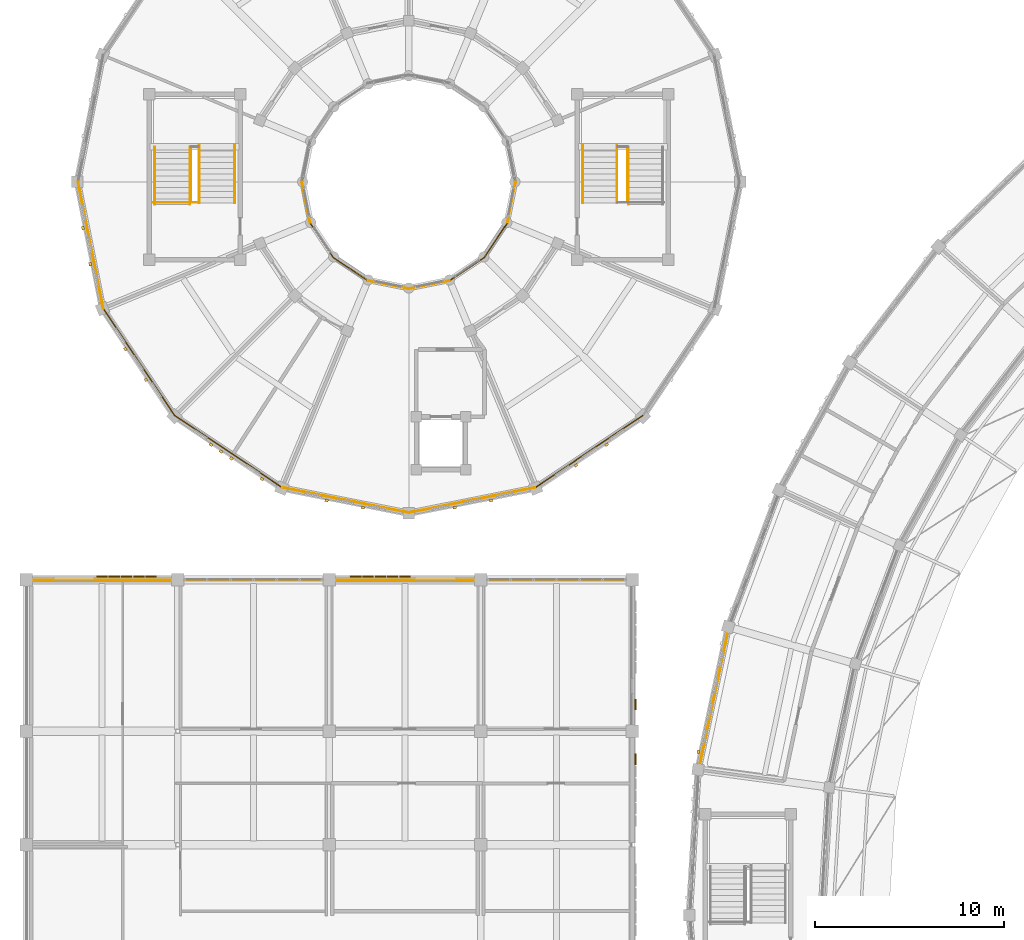
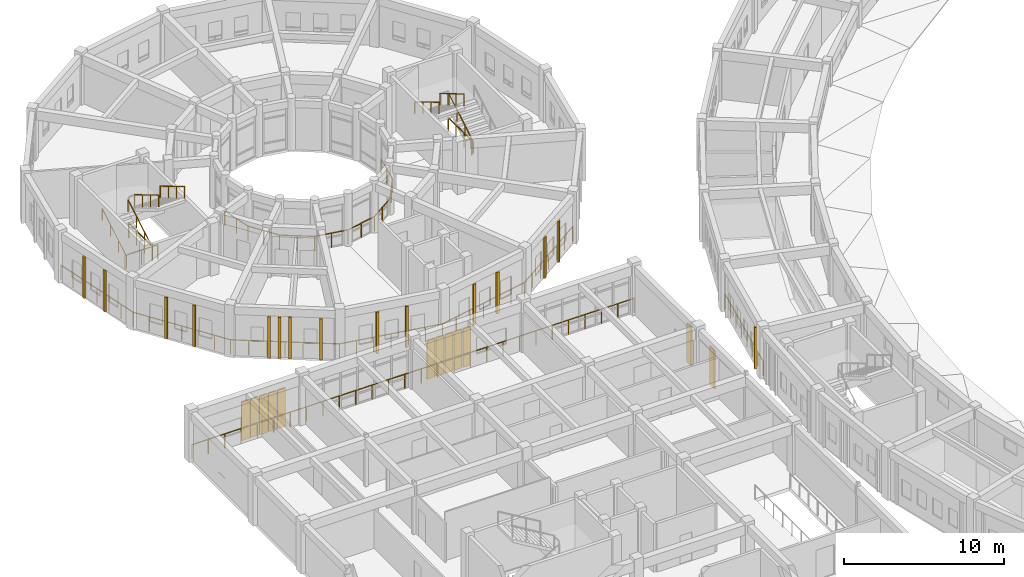
# One storey, part 102 of 112: 26 railings, 15 coverings, 12 shading devices.
"""IFC4 building model written with IfcOpenShell, lengths in metres."""

from ifc_helpers import new_model, si_unit, direction, frame, origin, origin_2d, place, context, subcontext, project, spatial, rectangle, circle, extrude, material, layer, layer_set, type_object, element, save


model = new_model("IFC4")

# Units and contexts
model_context = context("Model", 3, precision=1e-05, world=origin(), true_north=direction((0.0, 1.0)))
body_context = subcontext(model_context, "Body", "Model", "MODEL_VIEW")
ifc_project = project(units=[si_unit("LENGTHUNIT", "METRE"), si_unit("AREAUNIT", "SQUARE_METRE"), si_unit("VOLUMEUNIT", "CUBIC_METRE"), si_unit("PLANEANGLEUNIT", "RADIAN"), si_unit("MASSUNIT", "GRAM", prefix="KILO")], contexts=[model_context])

# Site, building, storey
site_placement = place(None, origin())
site = spatial("IfcSite", under=ifc_project, at=site_placement, CompositionType="ELEMENT")
building_placement = place(site_placement, origin())
building = spatial("IfcBuilding", under=site, at=building_placement, Name="Celadon Cloister-Ring School", CompositionType="ELEMENT")
storey_placement = place(building_placement, frame((0.0, 0.0, 8.5)))
storey = spatial("IfcBuildingStorey", under=building, at=storey_placement, Name="L02", CompositionType="ELEMENT", Elevation=8.5)

# Coverings
ifc_material_1 = material(Name="Perforated terracotta clay brick masonry", Category="masonry")
ifc_layer = layer(ifc_material_1, 0.139892578125)
ifc_layer_set = layer_set([ifc_layer], Name="Perforated terracotta clay brick masonry")
covering_type = type_object("IfcCoveringType", Name="CV-SC1", PredefinedType="CLADDING", material=ifc_layer_set)
covering_placement = place(storey_placement, frame((35.488037109375, 66.9150390625, 0.0), z_axis=(0.0, 0.0, 1.0), x_axis=(0.207262913083, 0.978285277851, 0.0)))
element("IfcCovering", 1, at=covering_placement, inside=storey, type_object=covering_type, Name="Brick Screen Rib 0246", PredefinedType="CLADDING", context=body_context, shape_type="SweptSolid", body=[
    extrude(rectangle(XDim=0.179931640625, YDim=0.139892578125, at=origin_2d()), origin(), (0.0, 0.0, 1.0), 3.172119140625),
])
for number, where, z_axis, x_axis, name in (
    (2, (3.383056640625, 92.660888671875, 0.0), (0.0, 0.0, 1.0), (-0.195141675546, 0.980775064153, 0.0), "Brick Screen Rib 0518"),
    (3, (3.001953125, 94.572998046875, 0.0), (0.0, 0.0, 1.0), (-0.195141675546, 0.980775064153, 0.0), "Brick Screen Rib 0519"),
    (4, (6.323974609375, 86.555908203125, 0.0), (0.0, 0.0, 1.0), (-0.55567181205, 0.831401730389, 0.0), "Brick Screen Rib 0520"),
    (5, (5.239990234375, 88.177001953125, 0.0), (0.0, 0.0, 1.0), (-0.55567181205, 0.831401730389, 0.0), "Brick Screen Rib 0521"),
    (6, (12.4580078125, 81.318115234375, 0.0), (0.0, 0.0, 1.0), (-0.831401730389, 0.55567181205, 0.0), "Brick Screen Rib 0522"),
    (7, (10.8359375, 82.40087890625, 0.0), (0.0, 0.0, 1.0), (-0.831401730389, 0.55567181205, 0.0), "Brick Screen Rib 0523"),
    (8, (10.2958984375, 82.761962890625, 0.0), (0.0, 0.0, 1.0), (-0.831401730389, 0.55567181205, 0.0), "Brick Screen Rib 0524"),
    (9, (9.756103515625, 83.1240234375, 0.0), (0.0, 0.0, 1.0), (-0.831401730389, 0.55567181205, 0.0), "Brick Screen Rib 0525"),
    (10, (17.77294921875, 79.802001953125, 0.0), (0.0, 0.0, 1.0), (-0.980775064153, 0.195141675546, 0.0), "Brick Screen Rib 0526"),
    (11, (15.861083984375, 80.18310546875, 0.0), (0.0, 0.0, 1.0), (-0.980775064153, 0.195141675546, 0.0), "Brick Screen Rib 0527"),
    (12, (24.5390625, 80.18310546875, 0.0), (0.0, 0.0, 1.0), (-0.980775064153, -0.195141675546, 0.0), "Brick Screen Rib 0528"),
    (13, (22.626953125, 79.802001953125, 0.0), (0.0, 0.0, 1.0), (-0.980775064153, -0.195141675546, 0.0), "Brick Screen Rib 0529"),
    (14, (30.64404296875, 83.1240234375, 0.0), (0.0, 0.0, 1.0), (-0.831401730389, -0.55567181205, 0.0), "Brick Screen Rib 0530"),
    (15, (29.02294921875, 82.0400390625, 0.0), (0.0, 0.0, 1.0), (-0.831401730389, -0.55567181205, 0.0), "Brick Screen Rib 0531"),
):
    element("IfcCovering", number, at=place(storey_placement, frame(where, z_axis=z_axis, x_axis=x_axis)), inside=storey, type_object=covering_type, Name=name, PredefinedType="CLADDING", context=body_context, shape_type="SweptSolid", body=[
        extrude(rectangle(XDim=0.179931640625, YDim=0.139892578125, at=origin_2d()), origin(), (0.0, 0.0, 1.0), 3.152099609375),
    ])

# Railings
ifc_material_2 = material(Name="Structural steel S355JR", Category="steel")
railing_type_1 = type_object("IfcRailingType", Name="RL-BL1", PredefinedType="BALUSTRADE", material=ifc_material_2)
railing_1_placement = place(storey_placement, frame((37.10302734375, 73.49609375, 0.0)))
element("IfcRailing", 16, at=railing_1_placement, inside=storey, type_object=railing_type_1, Name="Terrace Balustrade 0078", PredefinedType="BALUSTRADE", context=body_context, shape_type="SweptSolid", body=[
    extrude(circle(Radius=0.02392578125, at=origin_2d()), frame((0.0, 0.0, 1.09619140625), z_axis=(-0.207095796357, -0.978320668866, 0.0), x_axis=(0.978320668866, -0.207095796357, 0.0)), (0.0, 0.0, 1.0), 7.69677734375),
    extrude(circle(Radius=0.02099609375, at=origin_2d()), origin(), (0.0, 0.0, 1.0), 1.072021484375),
    extrude(circle(Radius=0.02099609375, at=origin_2d()), frame((-0.227783203125, -1.07568359375, 0.0)), (0.0, 0.0, 1.0), 1.072021484375),
    extrude(circle(Radius=0.02099609375, at=origin_2d()), frame((-0.455322265625, -2.1513671875, 0.0)), (0.0, 0.0, 1.0), 1.072021484375),
    extrude(circle(Radius=0.02099609375, at=origin_2d()), frame((-0.68310546875, -3.22705078125, 0.0)), (0.0, 0.0, 1.0), 1.072021484375),
    extrude(circle(Radius=0.02099609375, at=origin_2d()), frame((-0.910888671875, -4.302978515625, 0.0)), (0.0, 0.0, 1.0), 1.072021484375),
    extrude(circle(Radius=0.02099609375, at=origin_2d()), frame((-1.138671875, -5.378662109375, 0.0)), (0.0, 0.0, 1.0), 1.072021484375),
    extrude(circle(Radius=0.02099609375, at=origin_2d()), frame((-1.3662109375, -6.454345703125, 0.0)), (0.0, 0.0, 1.0), 1.072021484375),
    extrude(circle(Radius=0.02099609375, at=origin_2d()), frame((-1.593994140625, -7.530029296875, 0.0)), (0.0, 0.0, 1.0), 1.072021484375),
])
railing_2_placement = place(storey_placement, frame((2.739990234375, 97.0, 0.0)))
element("IfcRailing", 17, at=railing_2_placement, inside=storey, type_object=railing_type_1, Name="Terrace Balustrade 0257", PredefinedType="BALUSTRADE", context=body_context, shape_type="SweptSolid", body=[
    extrude(circle(Radius=0.02392578125, at=origin_2d()), frame((0.0, 0.0, 1.09619140625), z_axis=(0.19508919883, -0.980785503818, 0.0), x_axis=(0.980785503818, 0.19508919883, 0.0)), (0.0, 0.0, 1.0), 6.812744140625),
    extrude(circle(Radius=0.02099609375, at=origin_2d()), origin(), (0.0, 0.0, 1.0), 1.072021484375),
    extrude(circle(Radius=0.02099609375, at=origin_2d()), frame((0.221435546875, -1.11376953125, 0.0)), (0.0, 0.0, 1.0), 1.072021484375),
    extrude(circle(Radius=0.02099609375, at=origin_2d()), frame((0.443115234375, -2.227294921875, 0.0)), (0.0, 0.0, 1.0), 1.072021484375),
    extrude(circle(Radius=0.02099609375, at=origin_2d()), frame((0.66455078125, -3.3408203125, 0.0)), (0.0, 0.0, 1.0), 1.072021484375),
    extrude(circle(Radius=0.02099609375, at=origin_2d()), frame((0.885986328125, -4.45458984375, 0.0)), (0.0, 0.0, 1.0), 1.072021484375),
    extrude(circle(Radius=0.02099609375, at=origin_2d()), frame((1.107666015625, -5.568359375, 0.0)), (0.0, 0.0, 1.0), 1.072021484375),
    extrude(circle(Radius=0.02099609375, at=origin_2d()), frame((1.3291015625, -6.681884765625, 0.0)), (0.0, 0.0, 1.0), 1.072021484375),
])
railing_3_placement = place(storey_placement, frame((4.069091796875, 90.318115234375, 0.0)))
element("IfcRailing", 18, at=railing_3_placement, inside=storey, type_object=railing_type_1, Name="Terrace Balustrade 0258", PredefinedType="BALUSTRADE", context=body_context, shape_type="SweptSolid", body=[
    extrude(circle(Radius=0.02392578125, at=origin_2d()), frame((0.0, 0.0, 1.09619140625), z_axis=(0.555601342036, -0.831448825081, 0.0), x_axis=(0.831448825081, 0.555601342036, 0.0)), (0.0, 0.0, 1.0), 6.812255859375),
    extrude(circle(Radius=0.02099609375, at=origin_2d()), origin(), (0.0, 0.0, 1.0), 1.072021484375),
    extrude(circle(Radius=0.02099609375, at=origin_2d()), frame((0.630859375, -0.944091796875, 0.0)), (0.0, 0.0, 1.0), 1.072021484375),
    extrude(circle(Radius=0.02099609375, at=origin_2d()), frame((1.26171875, -1.887939453125, 0.0)), (0.0, 0.0, 1.0), 1.072021484375),
    extrude(circle(Radius=0.02099609375, at=origin_2d()), frame((1.892578125, -2.83203125, 0.0)), (0.0, 0.0, 1.0), 1.072021484375),
    extrude(circle(Radius=0.02099609375, at=origin_2d()), frame((2.523193359375, -3.776123046875, 0.0)), (0.0, 0.0, 1.0), 1.072021484375),
    extrude(circle(Radius=0.02099609375, at=origin_2d()), frame((3.154052734375, -4.719970703125, 0.0)), (0.0, 0.0, 1.0), 1.072021484375),
    extrude(circle(Radius=0.02099609375, at=origin_2d()), frame((3.784912109375, -5.6640625, 0.0)), (0.0, 0.0, 1.0), 1.072021484375),
])
railing_4_placement = place(storey_placement, frame((7.85400390625, 84.654052734375, 0.0)))
element("IfcRailing", 19, at=railing_4_placement, inside=storey, type_object=railing_type_1, Name="Terrace Balustrade 0259", PredefinedType="BALUSTRADE", context=body_context, shape_type="SweptSolid", body=[
    extrude(circle(Radius=0.02392578125, at=origin_2d()), frame((0.0, 0.0, 1.09619140625), z_axis=(0.831432269387, -0.555626116577, 0.0), x_axis=(0.555626116577, 0.831432269387, 0.0)), (0.0, 0.0, 1.0), 6.8125),
    extrude(circle(Radius=0.02099609375, at=origin_2d()), origin(), (0.0, 0.0, 1.0), 1.072021484375),
    extrude(circle(Radius=0.02099609375, at=origin_2d()), frame((0.944091796875, -0.630859375, 0.0)), (0.0, 0.0, 1.0), 1.072021484375),
    extrude(circle(Radius=0.02099609375, at=origin_2d()), frame((1.887939453125, -1.26171875, 0.0)), (0.0, 0.0, 1.0), 1.072021484375),
    extrude(circle(Radius=0.02099609375, at=origin_2d()), frame((2.83203125, -1.892578125, 0.0)), (0.0, 0.0, 1.0), 1.072021484375),
    extrude(circle(Radius=0.02099609375, at=origin_2d()), frame((3.776123046875, -2.5234375, 0.0)), (0.0, 0.0, 1.0), 1.072021484375),
    extrude(circle(Radius=0.02099609375, at=origin_2d()), frame((4.719970703125, -3.154296875, 0.0)), (0.0, 0.0, 1.0), 1.072021484375),
    extrude(circle(Radius=0.02099609375, at=origin_2d()), frame((5.6640625, -3.78515625, 0.0)), (0.0, 0.0, 1.0), 1.072021484375),
])
railing_5_placement = place(storey_placement, frame((13.51806640625, 80.868896484375, 0.0)))
element("IfcRailing", 20, at=railing_5_placement, inside=storey, type_object=railing_type_1, Name="Terrace Balustrade 0260", PredefinedType="BALUSTRADE", context=body_context, shape_type="SweptSolid", body=[
    extrude(circle(Radius=0.02392578125, at=origin_2d()), frame((0.0, 0.0, 1.09619140625), z_axis=(0.980792360074, -0.19505472673, 0.0), x_axis=(0.19505472673, 0.980792360074, 0.0)), (0.0, 0.0, 1.0), 6.812744140625),
    extrude(circle(Radius=0.02099609375, at=origin_2d()), origin(), (0.0, 0.0, 1.0), 1.072021484375),
    extrude(circle(Radius=0.02099609375, at=origin_2d()), frame((1.11376953125, -0.221435546875, 0.0)), (0.0, 0.0, 1.0), 1.072021484375),
    extrude(circle(Radius=0.02099609375, at=origin_2d()), frame((2.227294921875, -0.44287109375, 0.0)), (0.0, 0.0, 1.0), 1.072021484375),
    extrude(circle(Radius=0.02099609375, at=origin_2d()), frame((3.3408203125, -0.66455078125, 0.0)), (0.0, 0.0, 1.0), 1.072021484375),
    extrude(circle(Radius=0.02099609375, at=origin_2d()), frame((4.45458984375, -0.885986328125, 0.0)), (0.0, 0.0, 1.0), 1.072021484375),
    extrude(circle(Radius=0.02099609375, at=origin_2d()), frame((5.568359375, -1.107421875, 0.0)), (0.0, 0.0, 1.0), 1.072021484375),
    extrude(circle(Radius=0.02099609375, at=origin_2d()), frame((6.681884765625, -1.328857421875, 0.0)), (0.0, 0.0, 1.0), 1.072021484375),
])
railing_6_placement = place(storey_placement, frame((20.199951171875, 79.5400390625, 0.0)))
element("IfcRailing", 21, at=railing_6_placement, inside=storey, type_object=railing_type_1, Name="Terrace Balustrade 0261", PredefinedType="BALUSTRADE", context=body_context, shape_type="SweptSolid", body=[
    extrude(circle(Radius=0.02392578125, at=origin_2d()), frame((0.0, 0.0, 1.09619140625), z_axis=(0.980793723427, 0.195047871268, 0.0), x_axis=(-0.195047871268, 0.980793723427, 0.0)), (0.0, 0.0, 1.0), 6.81298828125),
    extrude(circle(Radius=0.02099609375, at=origin_2d()), origin(), (0.0, 0.0, 1.0), 1.072021484375),
    extrude(circle(Radius=0.02099609375, at=origin_2d()), frame((1.11376953125, 0.221435546875, 0.0)), (0.0, 0.0, 1.0), 1.072021484375),
    extrude(circle(Radius=0.02099609375, at=origin_2d()), frame((2.227294921875, 0.44287109375, 0.0)), (0.0, 0.0, 1.0), 1.072021484375),
    extrude(circle(Radius=0.02099609375, at=origin_2d()), frame((3.341064453125, 0.66455078125, 0.0)), (0.0, 0.0, 1.0), 1.072021484375),
    extrude(circle(Radius=0.02099609375, at=origin_2d()), frame((4.454833984375, 0.885986328125, 0.0)), (0.0, 0.0, 1.0), 1.072021484375),
    extrude(circle(Radius=0.02099609375, at=origin_2d()), frame((5.568359375, 1.107421875, 0.0)), (0.0, 0.0, 1.0), 1.072021484375),
    extrude(circle(Radius=0.02099609375, at=origin_2d()), frame((6.68212890625, 1.328857421875, 0.0)), (0.0, 0.0, 1.0), 1.072021484375),
])
railing_7_placement = place(storey_placement, frame((26.882080078125, 80.868896484375, 0.0)))
element("IfcRailing", 22, at=railing_7_placement, inside=storey, type_object=railing_type_1, Name="Terrace Balustrade 0262", PredefinedType="BALUSTRADE", context=body_context, shape_type="SweptSolid", body=[
    extrude(circle(Radius=0.02392578125, at=origin_2d()), frame((0.0, 0.0, 1.09619140625), z_axis=(0.831421205096, 0.555642672693, 0.0), x_axis=(-0.555642672693, 0.831421205096, 0.0)), (0.0, 0.0, 1.0), 6.812255859375),
    extrude(circle(Radius=0.02099609375, at=origin_2d()), origin(), (0.0, 0.0, 1.0), 1.072021484375),
    extrude(circle(Radius=0.02099609375, at=origin_2d()), frame((0.94384765625, 0.630859375, 0.0)), (0.0, 0.0, 1.0), 1.072021484375),
    extrude(circle(Radius=0.02099609375, at=origin_2d()), frame((1.887939453125, 1.26171875, 0.0)), (0.0, 0.0, 1.0), 1.072021484375),
    extrude(circle(Radius=0.02099609375, at=origin_2d()), frame((2.83203125, 1.892578125, 0.0)), (0.0, 0.0, 1.0), 1.072021484375),
    extrude(circle(Radius=0.02099609375, at=origin_2d()), frame((3.77587890625, 2.5234375, 0.0)), (0.0, 0.0, 1.0), 1.072021484375),
    extrude(circle(Radius=0.02099609375, at=origin_2d()), frame((4.7197265625, 3.154296875, 0.0)), (0.0, 0.0, 1.0), 1.072021484375),
    extrude(circle(Radius=0.02099609375, at=origin_2d()), frame((5.663818359375, 3.78515625, 0.0)), (0.0, 0.0, 1.0), 1.072021484375),
])
railing_8_placement = place(storey_placement, frame((14.56005859375, 97.0, 0.0)))
element("IfcRailing", 23, at=railing_8_placement, inside=storey, type_object=railing_type_1, Name="Terrace Balustrade 0273", PredefinedType="BALUSTRADE", context=body_context, shape_type="SweptSolid", body=[
    extrude(circle(Radius=0.02392578125, at=origin_2d()), frame((0.0, 0.0, 1.09619140625), z_axis=(0.194963681655, -0.980810462238, 0.0), x_axis=(0.980810462238, 0.194963681655, 0.0)), (0.0, 0.0, 1.0), 2.2001953125),
    extrude(circle(Radius=0.02099609375, at=origin_2d()), origin(), (0.0, 0.0, 1.0), 1.072021484375),
    extrude(circle(Radius=0.02099609375, at=origin_2d()), frame((0.21435546875, -1.0791015625, 0.0)), (0.0, 0.0, 1.0), 1.072021484375),
    extrude(circle(Radius=0.02099609375, at=origin_2d()), frame((0.428955078125, -2.157958984375, 0.0)), (0.0, 0.0, 1.0), 1.072021484375),
])
railing_9_placement = place(storey_placement, frame((14.989013671875, 94.842041015625, 0.0)))
element("IfcRailing", 24, at=railing_9_placement, inside=storey, type_object=railing_type_1, Name="Terrace Balustrade 0274", PredefinedType="BALUSTRADE", context=body_context, shape_type="SweptSolid", body=[
    extrude(circle(Radius=0.02392578125, at=origin_2d()), frame((0.0, 0.0, 1.09619140625), z_axis=(0.555595762933, -0.831452553193, 0.0), x_axis=(0.831452553193, 0.555595762933, 0.0)), (0.0, 0.0, 1.0), 2.201171875),
    extrude(circle(Radius=0.02099609375, at=origin_2d()), origin(), (0.0, 0.0, 1.0), 1.072021484375),
    extrude(circle(Radius=0.02099609375, at=origin_2d()), frame((0.611328125, -0.9150390625, 0.0)), (0.0, 0.0, 1.0), 1.072021484375),
    extrude(circle(Radius=0.02099609375, at=origin_2d()), frame((1.222900390625, -1.830078125, 0.0)), (0.0, 0.0, 1.0), 1.072021484375),
])
railing_10_placement = place(storey_placement, frame((16.2119140625, 93.011962890625, 0.0)))
element("IfcRailing", 25, at=railing_10_placement, inside=storey, type_object=railing_type_1, Name="Terrace Balustrade 0275", PredefinedType="BALUSTRADE", context=body_context, shape_type="SweptSolid", body=[
    extrude(circle(Radius=0.02392578125, at=origin_2d()), frame((0.0, 0.0, 1.09619140625), z_axis=(0.831452553193, -0.555595762933, 0.0), x_axis=(0.555595762933, 0.831452553193, 0.0)), (0.0, 0.0, 1.0), 2.201171875),
    extrude(circle(Radius=0.02099609375, at=origin_2d()), origin(), (0.0, 0.0, 1.0), 1.072021484375),
    extrude(circle(Radius=0.02099609375, at=origin_2d()), frame((0.9150390625, -0.611328125, 0.0)), (0.0, 0.0, 1.0), 1.072021484375),
    extrude(circle(Radius=0.02099609375, at=origin_2d()), frame((1.830078125, -1.222900390625, 0.0)), (0.0, 0.0, 1.0), 1.072021484375),
])
railing_11_placement = place(storey_placement, frame((18.0419921875, 91.7890625, 0.0)))
element("IfcRailing", 26, at=railing_11_placement, inside=storey, type_object=railing_type_1, Name="Terrace Balustrade 0276", PredefinedType="BALUSTRADE", context=body_context, shape_type="SweptSolid", body=[
    extrude(circle(Radius=0.02392578125, at=origin_2d()), frame((0.0, 0.0, 1.09619140625), z_axis=(0.980810462238, -0.194963681655, 0.0), x_axis=(0.194963681655, 0.980810462238, 0.0)), (0.0, 0.0, 1.0), 2.2001953125),
    extrude(circle(Radius=0.02099609375, at=origin_2d()), origin(), (0.0, 0.0, 1.0), 1.072021484375),
    extrude(circle(Radius=0.02099609375, at=origin_2d()), frame((1.0791015625, -0.21435546875, 0.0)), (0.0, 0.0, 1.0), 1.072021484375),
    extrude(circle(Radius=0.02099609375, at=origin_2d()), frame((2.157958984375, -0.428955078125, 0.0)), (0.0, 0.0, 1.0), 1.072021484375),
])
railing_12_placement = place(storey_placement, frame((20.199951171875, 91.360107421875, 0.0)))
element("IfcRailing", 27, at=railing_12_placement, inside=storey, type_object=railing_type_1, Name="Terrace Balustrade 0277", PredefinedType="BALUSTRADE", context=body_context, shape_type="SweptSolid", body=[
    extrude(circle(Radius=0.02392578125, at=origin_2d()), frame((0.0, 0.0, 1.09619140625), z_axis=(0.980810462238, 0.194963681655, 0.0), x_axis=(-0.194963681655, 0.980810462238, 0.0)), (0.0, 0.0, 1.0), 2.2001953125),
    extrude(circle(Radius=0.02099609375, at=origin_2d()), origin(), (0.0, 0.0, 1.0), 1.072021484375),
    extrude(circle(Radius=0.02099609375, at=origin_2d()), frame((1.0791015625, 0.21435546875, 0.0)), (0.0, 0.0, 1.0), 1.072021484375),
    extrude(circle(Radius=0.02099609375, at=origin_2d()), frame((2.157958984375, 0.428955078125, 0.0)), (0.0, 0.0, 1.0), 1.072021484375),
])
railing_13_placement = place(storey_placement, frame((22.35791015625, 91.7890625, 0.0)))
element("IfcRailing", 28, at=railing_13_placement, inside=storey, type_object=railing_type_1, Name="Terrace Balustrade 0278", PredefinedType="BALUSTRADE", context=body_context, shape_type="SweptSolid", body=[
    extrude(circle(Radius=0.02392578125, at=origin_2d()), frame((0.0, 0.0, 1.09619140625), z_axis=(0.831452553193, 0.555595762933, 0.0), x_axis=(-0.555595762933, 0.831452553193, 0.0)), (0.0, 0.0, 1.0), 2.201171875),
    extrude(circle(Radius=0.02099609375, at=origin_2d()), origin(), (0.0, 0.0, 1.0), 1.072021484375),
    extrude(circle(Radius=0.02099609375, at=origin_2d()), frame((0.9150390625, 0.611328125, 0.0)), (0.0, 0.0, 1.0), 1.072021484375),
    extrude(circle(Radius=0.02099609375, at=origin_2d()), frame((1.830078125, 1.222900390625, 0.0)), (0.0, 0.0, 1.0), 1.072021484375),
])
railing_14_placement = place(storey_placement, frame((24.18798828125, 93.011962890625, 0.0)))
element("IfcRailing", 29, at=railing_14_placement, inside=storey, type_object=railing_type_1, Name="Terrace Balustrade 0279", PredefinedType="BALUSTRADE", context=body_context, shape_type="SweptSolid", body=[
    extrude(circle(Radius=0.02392578125, at=origin_2d()), frame((0.0, 0.0, 1.09619140625), z_axis=(0.555595762933, 0.831452553193, 0.0), x_axis=(-0.831452553193, 0.555595762933, 0.0)), (0.0, 0.0, 1.0), 2.201171875),
    extrude(circle(Radius=0.02099609375, at=origin_2d()), origin(), (0.0, 0.0, 1.0), 1.072021484375),
    extrude(circle(Radius=0.02099609375, at=origin_2d()), frame((0.611328125, 0.9150390625, 0.0)), (0.0, 0.0, 1.0), 1.072021484375),
    extrude(circle(Radius=0.02099609375, at=origin_2d()), frame((1.222900390625, 1.830078125, 0.0)), (0.0, 0.0, 1.0), 1.072021484375),
])
railing_15_placement = place(storey_placement, frame((25.410888671875, 94.842041015625, 0.0)))
element("IfcRailing", 30, at=railing_15_placement, inside=storey, type_object=railing_type_1, Name="Terrace Balustrade 0280", PredefinedType="BALUSTRADE", context=body_context, shape_type="SweptSolid", body=[
    extrude(circle(Radius=0.02392578125, at=origin_2d()), frame((0.0, 0.0, 1.09619140625), z_axis=(0.19507042432, 0.980789238091, 0.0), x_axis=(-0.980789238091, 0.19507042432, 0.0)), (0.0, 0.0, 1.0), 2.2001953125),
    extrude(circle(Radius=0.02099609375, at=origin_2d()), origin(), (0.0, 0.0, 1.0), 1.072021484375),
    extrude(circle(Radius=0.02099609375, at=origin_2d()), frame((0.214599609375, 1.0791015625, 0.0)), (0.0, 0.0, 1.0), 1.072021484375),
    extrude(circle(Radius=0.02099609375, at=origin_2d()), frame((0.42919921875, 2.157958984375, 0.0)), (0.0, 0.0, 1.0), 1.072021484375),
])
railing_16_placement = place(storey_placement, frame((31.9599609375, 75.9599609375, 0.0)))
element("IfcRailing", 31, at=railing_16_placement, inside=storey, type_object=railing_type_1, Name="Terrace Balustrade 0450", PredefinedType="BALUSTRADE", context=body_context, shape_type="SweptSolid", body=[
    extrude(circle(Radius=0.02392578125, at=origin_2d()), frame((0.0, 0.0, 1.09619140625), z_axis=(-1.0, 0.0, 0.0), x_axis=(0.0, -1.0, 0.0)), (0.0, 0.0, 1.0), 31.919921875),
    extrude(circle(Radius=0.02099609375, at=origin_2d()), origin(), (0.0, 0.0, 1.0), 1.072021484375),
    extrude(circle(Radius=0.02099609375, at=origin_2d()), frame((-1.18212890625, 0.0, 0.0)), (0.0, 0.0, 1.0), 1.072021484375),
    extrude(circle(Radius=0.02099609375, at=origin_2d()), frame((-2.364501953125, 0.0, 0.0)), (0.0, 0.0, 1.0), 1.072021484375),
    extrude(circle(Radius=0.02099609375, at=origin_2d()), frame((-3.546630859375, 0.0, 0.0)), (0.0, 0.0, 1.0), 1.072021484375),
    extrude(circle(Radius=0.02099609375, at=origin_2d()), frame((-4.728759765625, 0.0, 0.0)), (0.0, 0.0, 1.0), 1.072021484375),
    extrude(circle(Radius=0.02099609375, at=origin_2d()), frame((-5.9111328125, 0.0, 0.0)), (0.0, 0.0, 1.0), 1.072021484375),
    extrude(circle(Radius=0.02099609375, at=origin_2d()), frame((-7.09326171875, 0.0, 0.0)), (0.0, 0.0, 1.0), 1.072021484375),
    extrude(circle(Radius=0.02099609375, at=origin_2d()), frame((-8.275634765625, 0.0, 0.0)), (0.0, 0.0, 1.0), 1.072021484375),
    extrude(circle(Radius=0.02099609375, at=origin_2d()), frame((-9.457763671875, 0.0, 0.0)), (0.0, 0.0, 1.0), 1.072021484375),
    extrude(circle(Radius=0.02099609375, at=origin_2d()), frame((-10.639892578125, 0.0, 0.0)), (0.0, 0.0, 1.0), 1.072021484375),
    extrude(circle(Radius=0.02099609375, at=origin_2d()), frame((-11.822265625, 0.0, 0.0)), (0.0, 0.0, 1.0), 1.072021484375),
    extrude(circle(Radius=0.02099609375, at=origin_2d()), frame((-13.00439453125, 0.0, 0.0)), (0.0, 0.0, 1.0), 1.072021484375),
    extrude(circle(Radius=0.02099609375, at=origin_2d()), frame((-14.1865234375, 0.0, 0.0)), (0.0, 0.0, 1.0), 1.072021484375),
    extrude(circle(Radius=0.02099609375, at=origin_2d()), frame((-15.368896484375, 0.0, 0.0)), (0.0, 0.0, 1.0), 1.072021484375),
    extrude(circle(Radius=0.02099609375, at=origin_2d()), frame((-16.551025390625, 0.0, 0.0)), (0.0, 0.0, 1.0), 1.072021484375),
    extrude(circle(Radius=0.02099609375, at=origin_2d()), frame((-17.7333984375, 0.0, 0.0)), (0.0, 0.0, 1.0), 1.072021484375),
    extrude(circle(Radius=0.02099609375, at=origin_2d()), frame((-18.91552734375, 0.0, 0.0)), (0.0, 0.0, 1.0), 1.072021484375),
    extrude(circle(Radius=0.02099609375, at=origin_2d()), frame((-20.09765625, 0.0, 0.0)), (0.0, 0.0, 1.0), 1.072021484375),
    extrude(circle(Radius=0.02099609375, at=origin_2d()), frame((-21.280029296875, 0.0, 0.0)), (0.0, 0.0, 1.0), 1.072021484375),
    extrude(circle(Radius=0.02099609375, at=origin_2d()), frame((-22.462158203125, 0.0, 0.0)), (0.0, 0.0, 1.0), 1.072021484375),
    extrude(circle(Radius=0.02099609375, at=origin_2d()), frame((-23.644287109375, 0.0, 0.0)), (0.0, 0.0, 1.0), 1.072021484375),
    extrude(circle(Radius=0.02099609375, at=origin_2d()), frame((-24.82666015625, 0.0, 0.0)), (0.0, 0.0, 1.0), 1.072021484375),
    extrude(circle(Radius=0.02099609375, at=origin_2d()), frame((-26.0087890625, 0.0, 0.0)), (0.0, 0.0, 1.0), 1.072021484375),
    extrude(circle(Radius=0.02099609375, at=origin_2d()), frame((-27.191162109375, 0.0, 0.0)), (0.0, 0.0, 1.0), 1.072021484375),
    extrude(circle(Radius=0.02099609375, at=origin_2d()), frame((-28.373291015625, 0.0, 0.0)), (0.0, 0.0, 1.0), 1.072021484375),
    extrude(circle(Radius=0.02099609375, at=origin_2d()), frame((-29.555419921875, 0.0, 0.0)), (0.0, 0.0, 1.0), 1.072021484375),
    extrude(circle(Radius=0.02099609375, at=origin_2d()), frame((-30.73779296875, 0.0, 0.0)), (0.0, 0.0, 1.0), 1.072021484375),
    extrude(circle(Radius=0.02099609375, at=origin_2d()), frame((-31.919921875, 0.0, 0.0)), (0.0, 0.0, 1.0), 1.072021484375),
])
ifc_material_3 = material(Name="Structural steel S355JR", Category="steel")
railing_type_2 = type_object("IfcRailingType", Name="RL-BL2", PredefinedType="BALUSTRADE", material=ifc_material_3)
railing_17_placement = place(storey_placement, frame((6.739990234375, 95.9150390625, 0.0)))
element("IfcRailing", 32, at=railing_17_placement, inside=storey, type_object=railing_type_2, Name="Interior Guard 0130", PredefinedType="BALUSTRADE", context=body_context, shape_type="SweptSolid", body=[
    extrude(circle(Radius=0.02392578125, at=origin_2d()), frame((0.0, 0.0, 1.09619140625), z_axis=(1.0, 0.0, 0.0), x_axis=(0.0, 1.0, 0.0)), (0.0, 0.0, 1.0), 2.360107421875),
    extrude(circle(Radius=0.02099609375, at=origin_2d()), origin(), (0.0, 0.0, 1.0), 1.072021484375),
    extrude(circle(Radius=0.02099609375, at=origin_2d()), frame((1.18017578125, 0.0, 0.0)), (0.0, 0.0, 1.0), 1.072021484375),
    extrude(circle(Radius=0.02099609375, at=origin_2d()), frame((2.360107421875, 0.0, 0.0)), (0.0, 0.0, 1.0), 1.072021484375),
])
for number, where, name in (
    (33, (8.699951171875, 95.9150390625, 0.0), "Interior Guard 0131"),
    (34, (31.760009765625, 95.9150390625, 0.0), "Interior Guard 0152"),
):
    element("IfcRailing", number, at=place(storey_placement, frame(where)), inside=storey, type_object=railing_type_2, Name=name, PredefinedType="BALUSTRADE", context=body_context, shape_type="SweptSolid", body=[
        extrude(circle(Radius=0.02392578125, at=origin_2d()), frame((0.0, 0.0, 1.09619140625), z_axis=(0.0, 1.0, 0.0), x_axis=(-1.0, 0.0, 0.0)), (0.0, 0.0, 1.0), 2.93505859375),
        extrude(circle(Radius=0.02099609375, at=origin_2d()), origin(), (0.0, 0.0, 1.0), 1.072021484375),
        extrude(circle(Radius=0.02099609375, at=origin_2d()), frame((0.0, 0.978271484375, 0.0)), (0.0, 0.0, 1.0), 1.072021484375),
        extrude(circle(Radius=0.02099609375, at=origin_2d()), frame((0.0, 1.956787109375, 0.0)), (0.0, 0.0, 1.0), 1.072021484375),
        extrude(circle(Radius=0.02099609375, at=origin_2d()), frame((0.0, 2.93505859375, 0.0)), (0.0, 0.0, 1.0), 1.072021484375),
    ])
ifc_material_4 = material(Name="Structural steel S355JR", Category="steel")
railing_type_3 = type_object("IfcRailingType", Name="RL-HR1", PredefinedType="HANDRAIL", material=ifc_material_4)
for number, where, name in (
    (35, (8.655029296875, 95.800048828125, 0.181884765625), "Stair Handrail 0125"),
    (36, (6.784912109375, 95.800048828125, 0.181884765625), "Stair Handrail 0126"),
):
    element("IfcRailing", number, at=place(storey_placement, frame(where)), inside=storey, type_object=railing_type_3, Name=name, PredefinedType="HANDRAIL", context=body_context, shape_type="SweptSolid", body=[
        extrude(circle(Radius=0.02099609375, at=origin_2d()), frame((0.0, 0.0, 0.87890625), z_axis=(0.0, 0.858969654429, 0.51202649616), x_axis=(-1.0, 0.0, 0.0)), (0.0, 0.0, 1.0), 3.55078125),
        extrude(circle(Radius=0.01806640625, at=origin_2d()), origin(), (0.0, 0.0, 1.0), 0.85791015625),
        extrude(circle(Radius=0.01806640625, at=origin_2d()), frame((0.0, 1.0166015625, 0.60595703125)), (0.0, 0.0, 1.0), 0.85791015625),
        extrude(circle(Radius=0.01806640625, at=origin_2d()), frame((0.0, 2.033447265625, 1.212158203125)), (0.0, 0.0, 1.0), 0.85791015625),
        extrude(circle(Radius=0.01806640625, at=origin_2d()), frame((0.0, 3.050048828125, 1.818115234375)), (0.0, 0.0, 1.0), 0.85791015625),
    ])
for number, where, name in (
    (37, (9.14501953125, 98.929931640625, 2.181884765625), "Stair Handrail 0127"),
    (38, (11.014892578125, 98.929931640625, 2.181884765625), "Stair Handrail 0128"),
):
    element("IfcRailing", number, at=place(storey_placement, frame(where)), inside=storey, type_object=railing_type_3, Name=name, PredefinedType="HANDRAIL", context=body_context, shape_type="SweptSolid", body=[
        extrude(circle(Radius=0.02099609375, at=origin_2d()), frame((0.0, 0.0, 0.87890625), z_axis=(0.0, -0.858969654429, 0.51202649616), x_axis=(1.0, 0.0, 0.0)), (0.0, 0.0, 1.0), 3.55078125),
        extrude(circle(Radius=0.01806640625, at=origin_2d()), origin(), (0.0, 0.0, 1.0), 0.85791015625),
        extrude(circle(Radius=0.01806640625, at=origin_2d()), frame((0.0, -1.0166015625, 0.60595703125)), (0.0, 0.0, 1.0), 0.85791015625),
        extrude(circle(Radius=0.01806640625, at=origin_2d()), frame((0.0, -2.033447265625, 1.212158203125)), (0.0, 0.0, 1.0), 0.85791015625),
        extrude(circle(Radius=0.01806640625, at=origin_2d()), frame((0.0, -3.050048828125, 1.818115234375)), (0.0, 0.0, 1.0), 0.85791015625),
    ])
railing_18_placement = place(storey_placement, frame((31.804931640625, 95.800048828125, 0.181884765625)))
element("IfcRailing", 39, at=railing_18_placement, inside=storey, type_object=railing_type_3, Name="Stair Handrail 0147", PredefinedType="HANDRAIL", context=body_context, shape_type="SweptSolid", body=[
    extrude(circle(Radius=0.02099609375, at=origin_2d()), frame((0.0, 0.0, 0.87890625), z_axis=(0.0, 0.858969654429, 0.51202649616), x_axis=(-1.0, 0.0, 0.0)), (0.0, 0.0, 1.0), 3.55078125),
    extrude(circle(Radius=0.01806640625, at=origin_2d()), origin(), (0.0, 0.0, 1.0), 0.85791015625),
    extrude(circle(Radius=0.01806640625, at=origin_2d()), frame((0.0, 1.0166015625, 0.60595703125)), (0.0, 0.0, 1.0), 0.85791015625),
    extrude(circle(Radius=0.01806640625, at=origin_2d()), frame((0.0, 2.033447265625, 1.212158203125)), (0.0, 0.0, 1.0), 0.85791015625),
    extrude(circle(Radius=0.01806640625, at=origin_2d()), frame((0.0, 3.050048828125, 1.818115234375)), (0.0, 0.0, 1.0), 0.85791015625),
])
for number, where, name in (
    (40, (29.385009765625, 98.929931640625, 2.181884765625), "Stair Handrail 0148"),
    (41, (31.195068359375, 98.929931640625, 2.181884765625), "Stair Handrail 0149"),
):
    element("IfcRailing", number, at=place(storey_placement, frame(where)), inside=storey, type_object=railing_type_3, Name=name, PredefinedType="HANDRAIL", context=body_context, shape_type="SweptSolid", body=[
        extrude(circle(Radius=0.02099609375, at=origin_2d()), frame((0.0, 0.0, 0.87890625), z_axis=(0.0, -0.858969654429, 0.51202649616), x_axis=(1.0, 0.0, 0.0)), (0.0, 0.0, 1.0), 3.55078125),
        extrude(circle(Radius=0.01806640625, at=origin_2d()), origin(), (0.0, 0.0, 1.0), 0.85791015625),
        extrude(circle(Radius=0.01806640625, at=origin_2d()), frame((0.0, -1.0166015625, 0.60595703125)), (0.0, 0.0, 1.0), 0.85791015625),
        extrude(circle(Radius=0.01806640625, at=origin_2d()), frame((0.0, -2.033447265625, 1.212158203125)), (0.0, 0.0, 1.0), 0.85791015625),
        extrude(circle(Radius=0.01806640625, at=origin_2d()), frame((0.0, -3.050048828125, 1.818115234375)), (0.0, 0.0, 1.0), 0.85791015625),
    ])

# Shading devices
ifc_material_5 = material(Name="Glazed celadon architectural terracotta", Category="masonry")
shading_device_type = type_object("IfcShadingDeviceType", Name="SD-01", PredefinedType="USERDEFINED", material=ifc_material_5)
for number, where, z_axis, x_axis, name in (
    (42, (4.0, 76.172119140625, 0.0), (0.0, 0.0, 1.0), (1.0, 0.0, 0.0), "Celadon Sunshade Screen 0169"),
    (43, (4.64990234375, 76.172119140625, 0.0), (0.0, 0.0, 1.0), (1.0, 0.0, 0.0), "Celadon Sunshade Screen 0170"),
    (44, (5.300048828125, 76.172119140625, 0.0), (0.0, 0.0, 1.0), (1.0, 0.0, 0.0), "Celadon Sunshade Screen 0171"),
    (45, (5.949951171875, 76.172119140625, 0.0), (0.0, 0.0, 1.0), (1.0, 0.0, 0.0), "Celadon Sunshade Screen 0172"),
    (46, (6.60009765625, 76.172119140625, 0.0), (0.0, 0.0, 1.0), (1.0, 0.0, 0.0), "Celadon Sunshade Screen 0173"),
    (47, (17.39990234375, 76.172119140625, 0.0), (0.0, 0.0, 1.0), (1.0, 0.0, 0.0), "Celadon Sunshade Screen 0174"),
    (48, (18.050048828125, 76.172119140625, 0.0), (0.0, 0.0, 1.0), (1.0, 0.0, 0.0), "Celadon Sunshade Screen 0175"),
    (49, (18.699951171875, 76.172119140625, 0.0), (0.0, 0.0, 1.0), (1.0, 0.0, 0.0), "Celadon Sunshade Screen 0176"),
    (50, (19.35009765625, 76.172119140625, 0.0), (0.0, 0.0, 1.0), (1.0, 0.0, 0.0), "Celadon Sunshade Screen 0177"),
    (51, (20.0, 76.172119140625, 0.0), (0.0, 0.0, 1.0), (1.0, 0.0, 0.0), "Celadon Sunshade Screen 0178"),
    (52, (32.172119140625, 69.39990234375, 0.0), (0.0, 0.0, 1.0), (0.0, -1.0, 0.0), "Celadon Sunshade Screen 0185"),
    (53, (32.172119140625, 66.51708984375, 0.0), (0.0, 0.0, 1.0), (0.0, -1.0, 0.0), "Celadon Sunshade Screen 0186"),
):
    element("IfcShadingDevice", number, at=place(storey_placement, frame(where, z_axis=z_axis, x_axis=x_axis)), inside=storey, type_object=shading_device_type, Name=name, ObjectType="SUNSHADE", PredefinedType="USERDEFINED", context=body_context, shape_type="SweptSolid", body=[
        extrude(rectangle(XDim=0.56005859375, YDim=0.090087890625, at=origin_2d()), origin(), (0.0, 0.0, 1.0), 2.949951171875),
    ])

save(model, "model.ifc")
